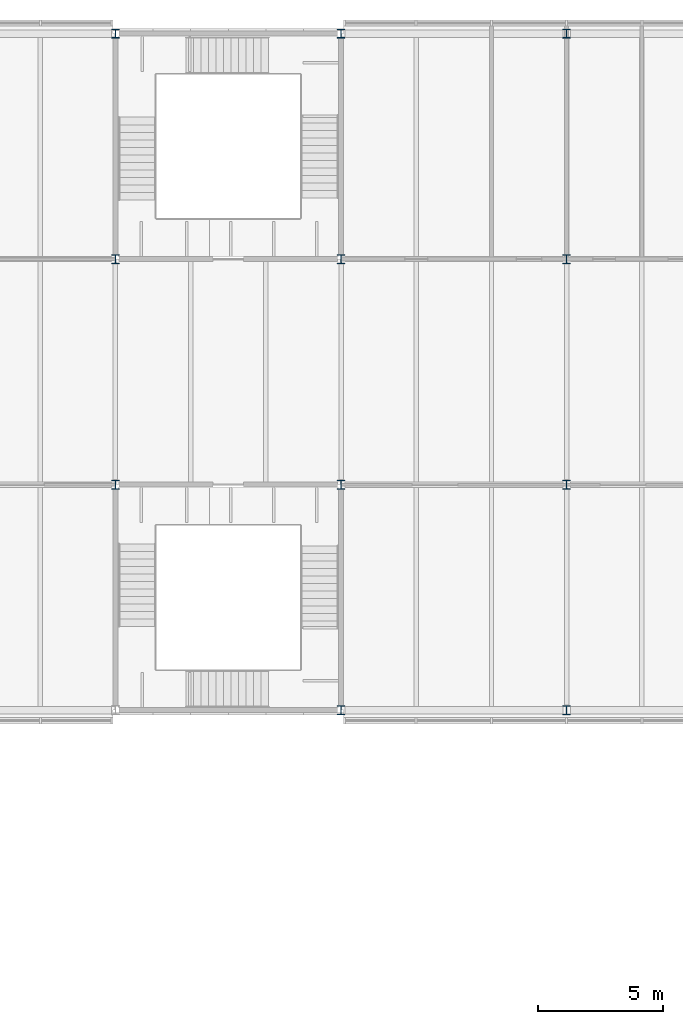
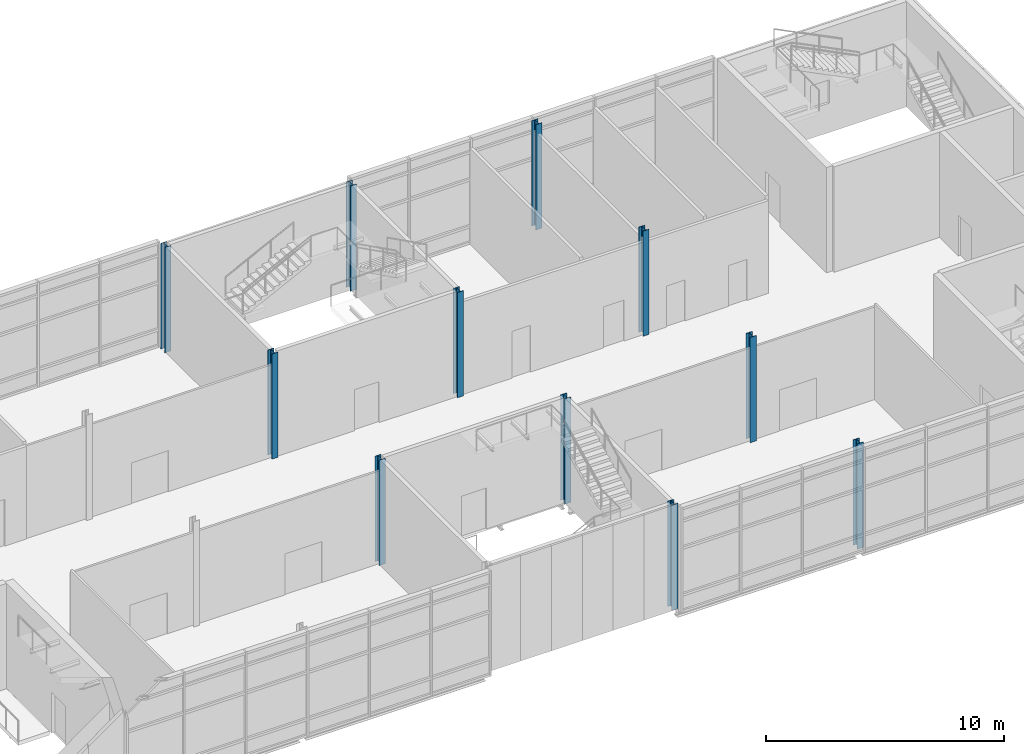
# One storey, part 8 of 53: 11 columns.
"""IFC4 building model written with IfcOpenShell, lengths in metres."""

from ifc_helpers import new_model, si_unit, direction, frame, origin, origin_2d, place, context, subcontext, project, spatial, i_section, extrude, material, material_profile, profile_set, type_object, element, save


model = new_model("IFC4")

# Units and contexts
model_context = context("Model", 3, precision=1e-05, world=origin(), true_north=direction((0.0, 1.0)))
body_context = subcontext(model_context, "Body", "Model", "MODEL_VIEW")
ifc_project = project(units=[si_unit("LENGTHUNIT", "METRE"), si_unit("AREAUNIT", "SQUARE_METRE"), si_unit("VOLUMEUNIT", "CUBIC_METRE"), si_unit("PLANEANGLEUNIT", "RADIAN"), si_unit("MASSUNIT", "GRAM", prefix="KILO")], contexts=[model_context])

# Site, building, storey
site_placement = place(None, origin())
site = spatial("IfcSite", under=ifc_project, at=site_placement, CompositionType="ELEMENT")
building_placement = place(site_placement, origin())
building = spatial("IfcBuilding", under=site, at=building_placement, Name="Azimuth Sports and Learning Centre", CompositionType="ELEMENT")
storey_placement = place(building_placement, frame((0.0, 0.0, 10.800048828125)))
storey = spatial("IfcBuildingStorey", under=building, at=storey_placement, Name="L02", CompositionType="ELEMENT", Elevation=10.800048828125)

# Columns
ifc_material = material(Name="Steel S355", Category="steel")
ifc_material_profile = material_profile(ifc_material, i_section(OverallWidth=0.300048828125, OverallDepth=0.360107421875, WebThickness=0.012451171875, FlangeThickness=0.0224609375, FilletRadius=0.027099609375, at=origin_2d()), Name="HEB 360")
ifc_profile_set = profile_set([ifc_material_profile], Name="Steel S355")
column_type = type_object("IfcColumnType", Name="Column HEB 360", PredefinedType="COLUMN", material=ifc_profile_set)
for number, where, z_axis, x_axis, name in (
    (1, (144.0, 90.0, 0.0), (0.0, 0.0, 1.0), (1.0, 0.0, 0.0), "Column 17L L02"),
    (2, (153.0, 90.0, 0.0), (0.0, 0.0, 1.0), (1.0, 0.0, 0.0), "Column 18L L02"),
    (3, (135.0, 99.0, 0.0), (0.0, 0.0, 1.0), (1.0, 0.0, 0.0), "Column 16M L02"),
    (4, (144.0, 99.0, 0.0), (0.0, 0.0, 1.0), (1.0, 0.0, 0.0), "Column 17M L02"),
    (5, (153.0, 99.0, 0.0), (0.0, 0.0, 1.0), (1.0, 0.0, 0.0), "Column 18M L02"),
    (6, (135.0, 108.0, 0.0), (0.0, 0.0, 1.0), (1.0, 0.0, 0.0), "Column 16N L02"),
    (7, (144.0, 108.0, 0.0), (0.0, 0.0, 1.0), (1.0, 0.0, 0.0), "Column 17N L02"),
    (8, (153.0, 108.0, 0.0), (0.0, 0.0, 1.0), (1.0, 0.0, 0.0), "Column 18N L02"),
    (9, (135.0, 117.0, 0.0), (0.0, 0.0, 1.0), (1.0, 0.0, 0.0), "Column 16P L02"),
    (10, (144.0, 117.0, 0.0), (0.0, 0.0, 1.0), (1.0, 0.0, 0.0), "Column 17P L02"),
    (11, (153.0, 117.0, 0.0), (0.0, 0.0, 1.0), (1.0, 0.0, 0.0), "Column 18P L02"),
):
    element("IfcColumn", number, at=place(storey_placement, frame(where, z_axis=z_axis, x_axis=x_axis)), inside=storey, type_object=column_type, Name=name, PredefinedType="COLUMN", context=body_context, shape_type="SweptSolid", body=[
        extrude(i_section(OverallWidth=0.300048828125, OverallDepth=0.360107421875, WebThickness=0.012451171875, FlangeThickness=0.0224609375, FilletRadius=0.027099609375, at=origin_2d()), origin(), (0.0, 0.0, 1.0), 5.39990234375),
    ])

save(model, "model.ifc")
